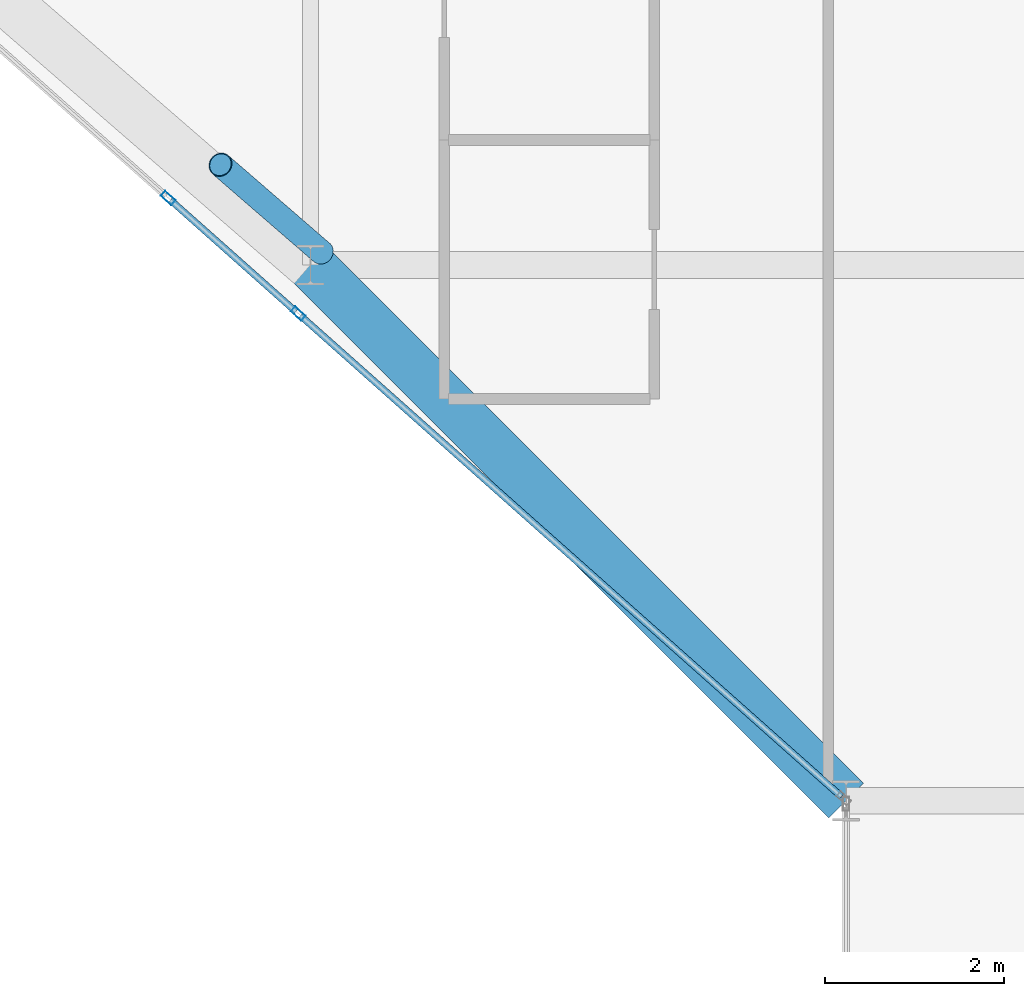
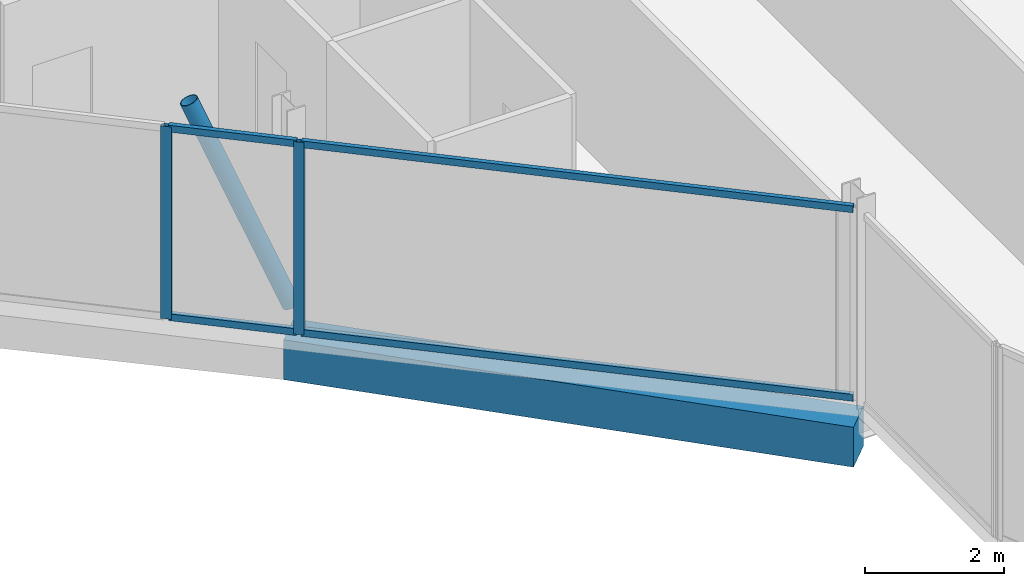
# One storey, part 4 of 29: 7 members, 1 beam, 2 elements without a shape of their own.
"""IFC4 building model written with IfcOpenShell, lengths in metres."""

from ifc_helpers import new_model, si_unit, direction, frame, origin, origin_2d, place, context, subcontext, project, spatial, rectangle, hollow_rectangle, hollow_circle, extrude, material, layer, layer_set, material_profile, profile_set, type_object, element, aggregate, save


model = new_model("IFC4")

# Units and contexts
model_context = context("Model", 3, precision=1e-05, world=origin(), true_north=direction((0.0, 1.0)))
body_context = subcontext(model_context, "Body", "Model", "MODEL_VIEW")
ifc_project = project(units=[si_unit("LENGTHUNIT", "METRE"), si_unit("AREAUNIT", "SQUARE_METRE"), si_unit("VOLUMEUNIT", "CUBIC_METRE"), si_unit("PLANEANGLEUNIT", "RADIAN"), si_unit("MASSUNIT", "GRAM", prefix="KILO")], contexts=[model_context])

# Site, building, storey
site_placement = place(None, origin())
site = spatial("IfcSite", under=ifc_project, at=site_placement, CompositionType="ELEMENT")
building_placement = place(site_placement, origin())
building = spatial("IfcBuilding", under=site, at=building_placement, Name="Keshet Zoharim Tower", CompositionType="ELEMENT")
storey_placement = place(building_placement, frame((0.0, 0.0, 214.300048828125)))
storey = spatial("IfcBuildingStorey", under=building, at=storey_placement, Name="L53", CompositionType="ELEMENT", Elevation=214.300048828125)

# Beam
ifc_material_1 = material(Name="Concrete C50/60", Category="concrete")
ifc_material_profile_1 = material_profile(ifc_material_1, rectangle(XDim=0.550048828125, YDim=0.699951171875, at=origin_2d()), Name="RC700x550")
ifc_profile_set_1 = profile_set([ifc_material_profile_1], Name="Concrete C50/60")
beam_type = type_object("IfcBeamType", Name="BM-SPN-700", PredefinedType="SPANDREL", material=ifc_profile_set_1)
beam_placement = place(storey_placement, frame((21.0, 6.699951171875, -0.66015625), z_axis=(-0.707106781187, 0.707106781187, 0.0), x_axis=(-0.707106781187, -0.707106781187, 0.0)))
element("IfcBeam", 1, at=beam_placement, inside=storey, type_object=beam_type, Name="L53 Perimeter Spandrel Beam 01", PredefinedType="SPANDREL", context=body_context, shape_type="SweptSolid", body=[
    extrude(rectangle(XDim=0.550048828125, YDim=0.699951171875, at=origin_2d()), origin(), (0.0, 0.0, 1.0), 8.4853515625),
])

# Curtain wall, member
ifc_material_2 = material(Name="Aluminium 6063-T6", Category="aluminium")
ifc_layer = layer(ifc_material_2, 0.139892578125)
ifc_layer_set = layer_set([ifc_layer], Name="Aluminium 6063-T6")
curtain_wall_type = type_object("IfcCurtainWallType", Name="CW-SYS-05", PredefinedType="NOTDEFINED", material=ifc_layer_set)
curtain_wall_1_placement = place(storey_placement, origin())
curtain_wall_1 = element("IfcCurtainWall", 2, at=curtain_wall_1_placement, inside=storey, type_object=curtain_wall_type, Name="L53 Unitised Curtain Wall 10", PredefinedType="NOTDEFINED")
ifc_material_profile_2 = material_profile(ifc_material_2, hollow_rectangle(XDim=0.074951171875, YDim=0.159912109375, WallThickness=0.00390625, at=origin_2d()), Name="MUL-75x160")
ifc_profile_set_2 = profile_set([ifc_material_profile_2], Name="Aluminium 6063-T6")
member_type_1 = type_object("IfcMemberType", Name="CWM-M15", PredefinedType="MULLION", material=ifc_profile_set_2)
member_1_placement = place(storey_placement, frame((14.863037109375, 12.155029296875, 0.0), z_axis=(0.0, 0.0, 1.0), x_axis=(-0.664363838836, -0.747409318679, 0.0)))
member_1 = element("IfcMember", 3, at=member_1_placement, type_object=member_type_1, Name="CW-05 mullion 2", PredefinedType="MULLION", context=body_context, shape_type="SweptSolid", body=[
    extrude(hollow_rectangle(XDim=0.074951171875, YDim=0.159912109375, WallThickness=0.00390625, at=origin_2d()), origin(), (0.0, 0.0, 1.0), 3.3798828125),
])

curtain_wall_2_placement = place(storey_placement, origin())
curtain_wall_2 = element("IfcCurtainWall", 4, at=curtain_wall_2_placement, inside=storey, type_object=curtain_wall_type, Name="L53 Unitised Curtain Wall 10 Part 2", PredefinedType="NOTDEFINED")
member_2_placement = place(storey_placement, frame((13.406005859375, 13.4501953125, 0.0), z_axis=(0.0, 0.0, 1.0), x_axis=(-0.664360654814, -0.747412148908, 0.0)))
member_2 = element("IfcMember", 5, at=member_2_placement, type_object=member_type_1, Name="CW-05 mullion 2", PredefinedType="MULLION", context=body_context, shape_type="SweptSolid", body=[
    extrude(hollow_rectangle(XDim=0.074951171875, YDim=0.159912109375, WallThickness=0.00390625, at=origin_2d()), origin(), (0.0, 0.0, 1.0), 3.3798828125),
])

# Member
ifc_material_profile_3 = material_profile(ifc_material_2, hollow_rectangle(XDim=0.074951171875, YDim=0.1201171875, WallThickness=0.00390625, at=origin_2d()), Name="TRN-75x120")
ifc_profile_set_3 = profile_set([ifc_material_profile_3], Name="Aluminium 6063-T6")
member_type_2 = type_object("IfcMemberType", Name="CWT-T12", PredefinedType="USERDEFINED", material=ifc_profile_set_3)
member_3_placement = place(storey_placement, frame((20.94775390625, 6.74658203125, 0.034912109375), z_axis=(-0.747419288843, 0.664352622231, 0.0), x_axis=(-0.664352622231, -0.747419288843, 0.0)))
member_3 = element("IfcMember", 6, at=member_3_placement, type_object=member_type_2, Name="CW-05 transom 1.1", ObjectType="TRANSOM", PredefinedType="USERDEFINED", context=body_context, shape_type="SweptSolid", body=[
    extrude(hollow_rectangle(XDim=0.074951171875, YDim=0.1201171875, WallThickness=0.00390625, at=origin_2d()), origin(), (0.0, 0.0, 1.0), 8.10595703125),
])

member_4_placement = place(storey_placement, frame((20.94775390625, 6.74658203125, 3.344970703125), z_axis=(-0.747419288843, 0.664352622231, 0.0), x_axis=(-0.664352622231, -0.747419288843, 0.0)))
member_4 = element("IfcMember", 7, at=member_4_placement, type_object=member_type_2, Name="CW-05 transom 1.2", ObjectType="TRANSOM", PredefinedType="USERDEFINED", context=body_context, shape_type="SweptSolid", body=[
    extrude(hollow_rectangle(XDim=0.074951171875, YDim=0.1201171875, WallThickness=0.00390625, at=origin_2d()), origin(), (0.0, 0.0, 1.0), 8.10595703125),
])

aggregate(curtain_wall_1, [member_1, member_3, member_4])

member_5_placement = place(storey_placement, frame((14.8369140625, 12.178466796875, 0.034912109375), z_axis=(-0.747452318941, 0.664315460387, 0.0), x_axis=(-0.664315460387, -0.747452318941, 0.0)))
member_5 = element("IfcMember", 8, at=member_5_placement, type_object=member_type_2, Name="CW-05 transom 1.1", ObjectType="TRANSOM", PredefinedType="USERDEFINED", context=body_context, shape_type="SweptSolid", body=[
    extrude(hollow_rectangle(XDim=0.074951171875, YDim=0.1201171875, WallThickness=0.00390625, at=origin_2d()), origin(), (0.0, 0.0, 1.0), 1.87939453125),
])

member_6_placement = place(storey_placement, frame((14.8369140625, 12.178466796875, 3.344970703125), z_axis=(-0.747452318941, 0.664315460387, 0.0), x_axis=(-0.664315460387, -0.747452318941, 0.0)))
member_6 = element("IfcMember", 9, at=member_6_placement, type_object=member_type_2, Name="CW-05 transom 1.2", ObjectType="TRANSOM", PredefinedType="USERDEFINED", context=body_context, shape_type="SweptSolid", body=[
    extrude(hollow_rectangle(XDim=0.074951171875, YDim=0.1201171875, WallThickness=0.00390625, at=origin_2d()), origin(), (0.0, 0.0, 1.0), 1.87939453125),
])

aggregate(curtain_wall_2, [member_2, member_5, member_6])

ifc_material_3 = material(Name="Steel S355", Category="steel")
ifc_material_profile_4 = material_profile(ifc_material_3, hollow_circle(Radius=0.136474609375, WallThickness=0.010009765625, at=origin_2d()), Name="CHS273x10")
ifc_profile_set_4 = profile_set([ifc_material_profile_4], Name="Steel S355")
member_type_3 = type_object("IfcMemberType", Name="MB-BR-C273", PredefinedType="BRACE", material=ifc_profile_set_4)
member_7_placement = place(storey_placement, frame((15.1259765625, 12.842041015625, 0.0), z_axis=(-0.30667659956, 0.265544302138, 0.914021710292), x_axis=(-0.654589683411, -0.755984355904, 0.0)))
element("IfcMember", 10, at=member_7_placement, inside=storey, type_object=member_type_3, Name="L53 Perimeter Tube Brace 01", PredefinedType="BRACE", context=body_context, shape_type="SweptSolid", body=[
    extrude(hollow_circle(Radius=0.136474609375, WallThickness=0.010009765625, at=origin_2d()), origin(), (0.0, 0.0, 1.0), 3.69775390625),
])

save(model, "model.ifc")
